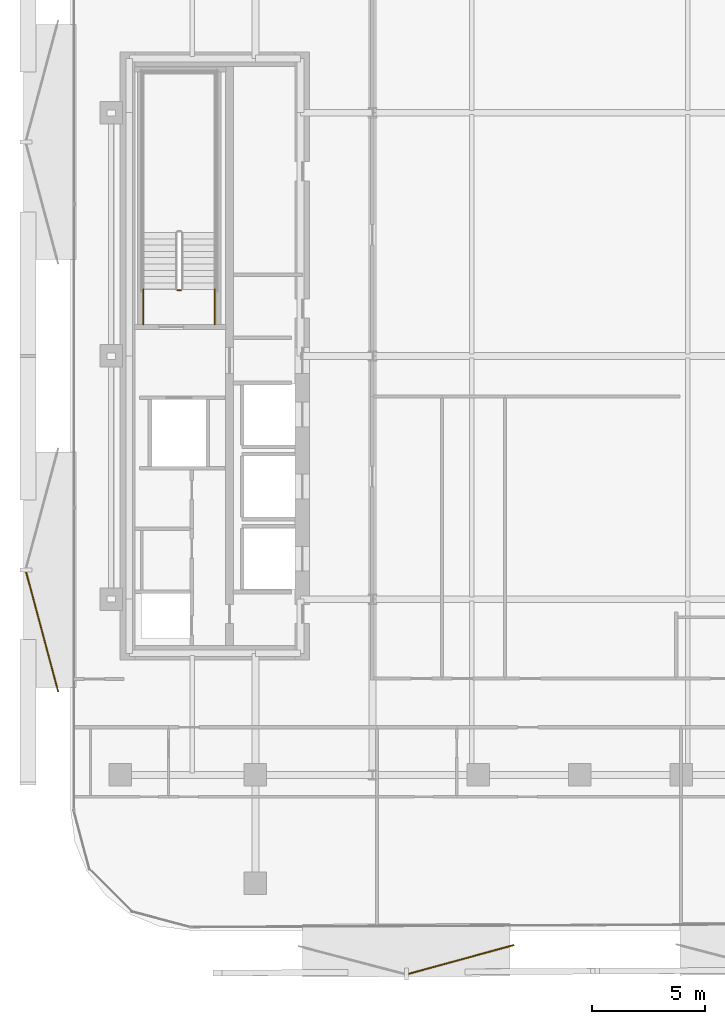
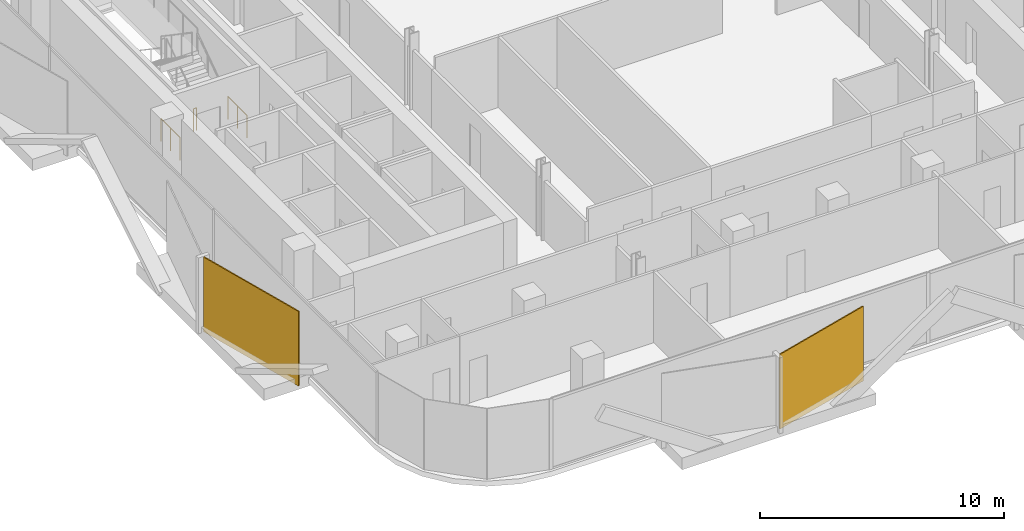
# One storey, part 13 of 17: 3 railings, 2 coverings.
"""IFC4 building model written with IfcOpenShell, lengths in metres."""

from ifc_helpers import new_model, si_unit, direction, frame, origin, origin_2d, place, context, subcontext, project, spatial, rectangle, circle, extrude, material, layer, layer_set, type_object, element, save


model = new_model("IFC4")

# Units and contexts
model_context = context("Model", 3, precision=1e-05, world=origin(), true_north=direction((0.0, 1.0)))
body_context = subcontext(model_context, "Body", "Model", "MODEL_VIEW")
ifc_project = project(units=[si_unit("LENGTHUNIT", "METRE"), si_unit("AREAUNIT", "SQUARE_METRE"), si_unit("VOLUMEUNIT", "CUBIC_METRE"), si_unit("PLANEANGLEUNIT", "RADIAN"), si_unit("MASSUNIT", "GRAM", prefix="KILO")], contexts=[model_context])

# Site, building, storey
site_placement = place(None, origin())
site = spatial("IfcSite", under=ifc_project, at=site_placement, CompositionType="ELEMENT")
building_placement = place(site_placement, origin())
building = spatial("IfcBuilding", under=site, at=building_placement, Name="Khairoan Windgate Tower", CompositionType="ELEMENT")
storey_placement = place(building_placement, frame((0.0, 0.0, 203.0)))
storey = spatial("IfcBuildingStorey", under=building, at=storey_placement, Name="L47", CompositionType="ELEMENT", Elevation=203.0)

# Coverings
ifc_material_1 = material(Name="Anodised Bronze Aluminium 6063-T6", Category="aluminium")
ifc_layer = layer(ifc_material_1, 0.054931640625, Name="Anodised Bronze Aluminium 6063-T6")
ifc_layer_set = layer_set([ifc_layer], Name="Anodised Bronze Aluminium 6063-T6")
covering_type = type_object("IfcCoveringType", Name="Perforated Bronze-Ceramic Folded Solar Screen Cladding BSC-1", PredefinedType="CLADDING", material=ifc_layer_set)
covering_1_placement = place(storey_placement, frame((-5.264404296875, -26.791748046875, -0.10009765625), z_axis=(0.0, 0.0, 1.0), x_axis=(-0.964649468762, -0.263536339841, 0.0)))
element("IfcCovering", 1, at=covering_1_placement, inside=storey, type_object=covering_type, Name="L47 Folded Bronze Solar Screen Facet 314L", PredefinedType="CLADDING", context=body_context, shape_type="SweptSolid", body=[
    extrude(rectangle(XDim=4.861083984375, YDim=0.054931640625, at=origin_2d()), origin(), (0.0, 0.0, 1.0), 3.739990234375),
])
covering_2_placement = place(storey_placement, frame((-23.8671875, -12.2451171875, -0.10009765625), z_axis=(0.0, 0.0, 1.0), x_axis=(-0.258819045103, 0.965925826289, 0.0)))
element("IfcCovering", 2, at=covering_2_placement, inside=storey, type_object=covering_type, Name="L47 Folded Bronze Solar Screen Facet 315L", PredefinedType="CLADDING", context=body_context, shape_type="SweptSolid", body=[
    extrude(rectangle(XDim=5.507080078125, YDim=0.054931640625, at=origin_2d()), origin(), (0.0, 0.0, 1.0), 3.739990234375),
])

# Railings
ifc_material_2 = material(Name="Steel S355", Category="steel")
railing_type = type_object("IfcRailingType", Name="Stairwell Safety Guardrail SGR-1150", PredefinedType="GUARDRAIL", material=ifc_material_2)
railing_placement = place(storey_placement, frame((-17.7099609375, 2.909912109375, 0.0)))
element("IfcRailing", 3, at=railing_placement, inside=storey, type_object=railing_type, Name="L47 ST2 stair guard 7", PredefinedType="GUARDRAIL", context=body_context, shape_type="SweptSolid", body=[
    extrude(circle(Radius=0.02392578125, at=origin_2d()), frame((0.0, 0.0, 1.1259765625), z_axis=(-1.0, 0.0, 0.0), x_axis=(0.0, -1.0, 0.0)), (0.0, 0.0, 1.0), 0.150146484375),
    extrude(circle(Radius=0.02099609375, at=origin_2d()), origin(), (0.0, 0.0, 1.0), 1.101806640625),
    extrude(circle(Radius=0.02099609375, at=origin_2d()), frame((-0.150146484375, 0.0, 0.0)), (0.0, 0.0, 1.0), 1.101806640625),
])
for number, where, name in (
    (4, (-16.199951171875, 1.39990234375, 0.0), "L47 ST2 stair guard 8"),
    (5, (-19.3701171875, 1.39990234375, 0.0), "L47 ST2 stair guard 9"),
):
    element("IfcRailing", number, at=place(storey_placement, frame(where)), inside=storey, type_object=railing_type, Name=name, PredefinedType="GUARDRAIL", context=body_context, shape_type="SweptSolid", body=[
        extrude(circle(Radius=0.02392578125, at=origin_2d()), frame((0.0, 0.0, 1.1259765625), z_axis=(0.0, 1.0, 0.0), x_axis=(-1.0, 0.0, 0.0)), (0.0, 0.0, 1.0), 1.56005859375),
        extrude(circle(Radius=0.02099609375, at=origin_2d()), origin(), (0.0, 0.0, 1.0), 1.101806640625),
        extrude(circle(Radius=0.02099609375, at=origin_2d()), frame((0.0, 0.780029296875, 0.0)), (0.0, 0.0, 1.0), 1.101806640625),
        extrude(circle(Radius=0.02099609375, at=origin_2d()), frame((0.0, 1.56005859375, 0.0)), (0.0, 0.0, 1.0), 1.101806640625),
    ])

save(model, "model.ifc")
